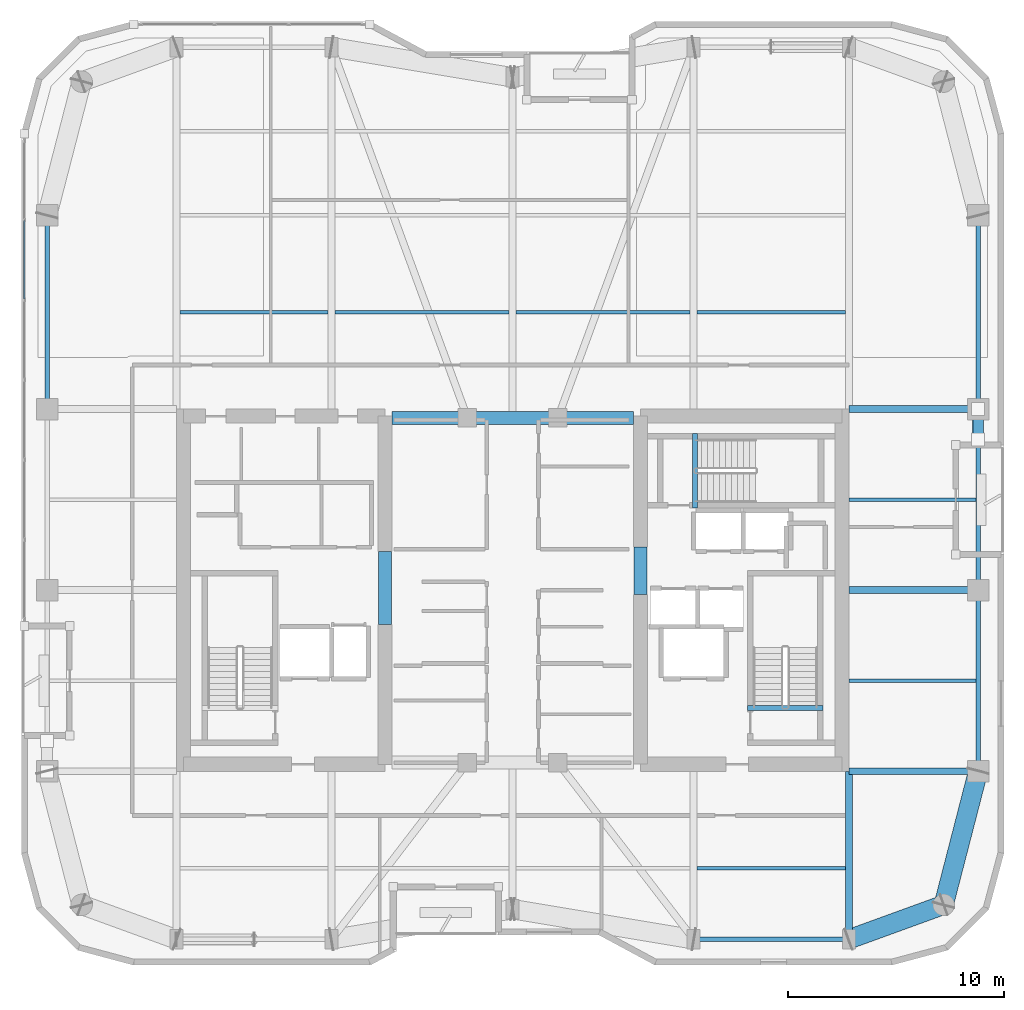
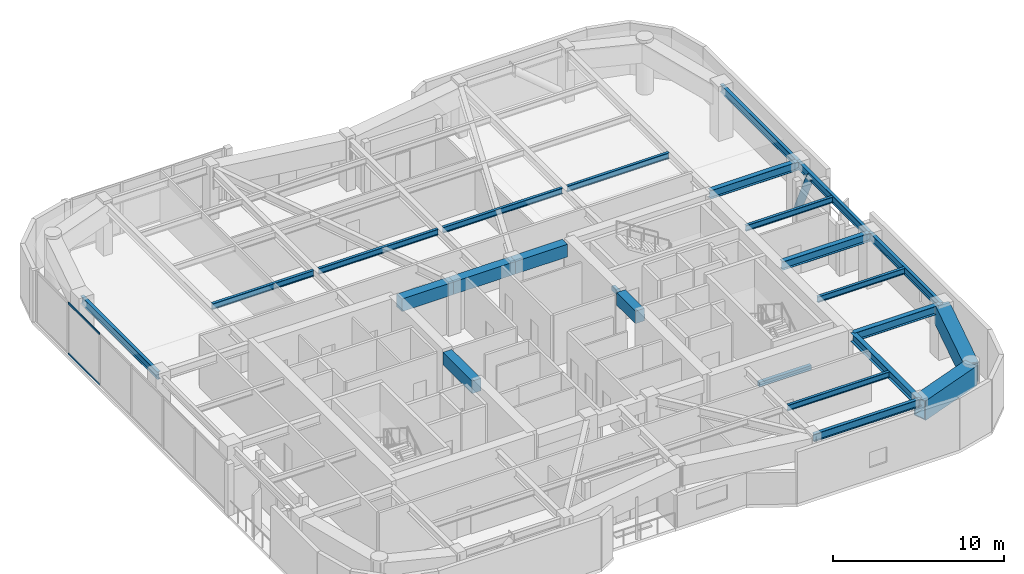
# One storey, part 5 of 21: 25 beams, 3 members, 1 element without a shape of its own.
"""IFC4 building model written with IfcOpenShell, lengths in metres."""

from ifc_helpers import new_model, si_unit, direction, frame, origin, origin_2d, place, context, subcontext, project, spatial, rectangle, hollow_rectangle, hollow_circle, i_section, extrude, material, layer, layer_set, material_profile, profile_set, type_object, element, aggregate, save


model = new_model("IFC4")

# Units and contexts
model_context = context("Model", 3, precision=1e-05, world=origin(), true_north=direction((0.0, 1.0)))
body_context = subcontext(model_context, "Body", "Model", "MODEL_VIEW")
ifc_project = project(units=[si_unit("LENGTHUNIT", "METRE"), si_unit("AREAUNIT", "SQUARE_METRE"), si_unit("VOLUMEUNIT", "CUBIC_METRE"), si_unit("PLANEANGLEUNIT", "RADIAN"), si_unit("MASSUNIT", "GRAM", prefix="KILO")], contexts=[model_context])

# Site, building, storey
site_placement = place(None, origin())
site = spatial("IfcSite", under=ifc_project, at=site_placement, CompositionType="ELEMENT")
building_placement = place(site_placement, origin())
building = spatial("IfcBuilding", under=site, at=building_placement, Name="Kiyonajd Concourse Tower", CompositionType="ELEMENT")
storey_placement = place(building_placement, frame((0.0, 0.0, 234.89990234375)))
storey = spatial("IfcBuildingStorey", under=building, at=storey_placement, Name="L59", CompositionType="ELEMENT", Elevation=234.89990234375)

# Beams
ifc_material_1 = material(Name="Concrete C60/75", Category="concrete")
ifc_material_profile_1 = material_profile(ifc_material_1, rectangle(XDim=0.60009765625, YDim=0.89990234375, at=origin_2d()), Name="RCBM-600x900")
ifc_profile_set_1 = profile_set([ifc_material_profile_1], Name="Concrete C60/75")
beam_type_1 = type_object("IfcBeamType", Name="BM-COUP-900", PredefinedType="LINTEL", material=ifc_profile_set_1)
beam_1_placement = place(storey_placement, frame((42.39990234375, 44.0, 3.22998046875), z_axis=(1.0, 0.0, 0.0), x_axis=(0.0, 1.0, 0.0)))
element("IfcBeam", 1, at=beam_1_placement, inside=storey, type_object=beam_type_1, Name="L59 Core Coupling Beam N1", PredefinedType="LINTEL", context=body_context, shape_type="SweptSolid", body=[
    extrude(rectangle(XDim=0.60009765625, YDim=0.89990234375, at=origin_2d()), origin(), (0.0, 0.0, 1.0), 3.5),
])
beam_2_placement = place(storey_placement, frame((45.89990234375, 44.0, 3.22998046875), z_axis=(1.0, 0.0, 0.0), x_axis=(0.0, 1.0, 0.0)))
element("IfcBeam", 2, at=beam_2_placement, inside=storey, type_object=beam_type_1, Name="L59 Core Coupling Beam N2", PredefinedType="LINTEL", context=body_context, shape_type="SweptSolid", body=[
    extrude(rectangle(XDim=0.60009765625, YDim=0.89990234375, at=origin_2d()), origin(), (0.0, 0.0, 1.0), 4.2001953125),
])
beam_3_placement = place(storey_placement, frame((50.10009765625, 44.0, 3.22998046875), z_axis=(1.0, 0.0, 0.0), x_axis=(0.0, 1.0, 0.0)))
element("IfcBeam", 3, at=beam_3_placement, inside=storey, type_object=beam_type_1, Name="L59 Core Coupling Beam N3", PredefinedType="LINTEL", context=body_context, shape_type="SweptSolid", body=[
    extrude(rectangle(XDim=0.60009765625, YDim=0.89990234375, at=origin_2d()), origin(), (0.0, 0.0, 1.0), 3.5),
])
beam_4_placement = place(storey_placement, frame((42.074951171875, 34.39990234375, 3.22998046875), z_axis=(0.0, 1.0, 0.0), x_axis=(-1.0, 0.0, 0.0)))
element("IfcBeam", 4, at=beam_4_placement, inside=storey, type_object=beam_type_1, Name="L59 West Core Throat Coupling Lintel", PredefinedType="LINTEL", context=body_context, shape_type="SweptSolid", body=[
    extrude(rectangle(XDim=0.60009765625, YDim=0.89990234375, at=origin_2d()), origin(), (0.0, 0.0, 1.0), 3.400146484375),
])
beam_5_placement = place(storey_placement, frame((53.925048828125, 35.800048828125, 3.22998046875), z_axis=(0.0, 1.0, 0.0), x_axis=(-1.0, 0.0, 0.0)))
element("IfcBeam", 5, at=beam_5_placement, inside=storey, type_object=beam_type_1, Name="L59 East Core Throat Coupling Lintel", PredefinedType="LINTEL", context=body_context, shape_type="SweptSolid", body=[
    extrude(rectangle(XDim=0.60009765625, YDim=0.89990234375, at=origin_2d()), origin(), (0.0, 0.0, 1.0), 2.199951171875),
])
ifc_material_2 = material(Name="Steel ASTM A992 Grade 50", Category="steel")
ifc_material_profile_2 = material_profile(ifc_material_2, i_section(OverallWidth=0.180908203125, OverallDepth=0.4169921875, WebThickness=0.010986328125, FlangeThickness=0.018310546875, at=origin_2d()), Name="W410X85")
ifc_profile_set_2 = profile_set([ifc_material_profile_2], Name="Steel ASTM A992 Grade 50")
beam_type_2 = type_object("IfcBeamType", Name="BM-JST-410", PredefinedType="JOIST", material=ifc_profile_set_2)
for number, where, z_axis, x_axis, name in (
    (6, (56.56201171875, 23.10009765625, 3.4716796875), (1.0, 0.0, 0.0), (0.0, 1.0, 0.0), "L59 Secondary Floor Joist"),
    (7, (32.56201171875, 48.89990234375, 3.4716796875), (1.0, 0.0, 0.0), (0.0, 1.0, 0.0), "L59 Secondary Floor Joist"),
):
    element("IfcBeam", number, at=place(storey_placement, frame(where, z_axis=z_axis, x_axis=x_axis)), inside=storey, type_object=beam_type_2, Name=name, PredefinedType="JOIST", context=body_context, shape_type="SweptSolid", body=[
        extrude(i_section(OverallWidth=0.180908203125, OverallDepth=0.4169921875, WebThickness=0.010986328125, FlangeThickness=0.018310546875, at=origin_2d()), origin(), (0.0, 0.0, 1.0), 6.8759765625),
    ])
for number, where, z_axis, x_axis, name in (
    (8, (39.761962890625, 48.89990234375, 3.4716796875), (1.0, 0.0, 0.0), (0.0, 1.0, 0.0), "L59 Secondary Floor Joist"),
    (9, (48.162109375, 48.89990234375, 3.4716796875), (1.0, 0.0, 0.0), (0.0, 1.0, 0.0), "L59 Secondary Floor Joist"),
):
    element("IfcBeam", number, at=place(storey_placement, frame(where, z_axis=z_axis, x_axis=x_axis)), inside=storey, type_object=beam_type_2, Name=name, PredefinedType="JOIST", context=body_context, shape_type="SweptSolid", body=[
        extrude(i_section(OverallWidth=0.180908203125, OverallDepth=0.4169921875, WebThickness=0.010986328125, FlangeThickness=0.018310546875, at=origin_2d()), origin(), (0.0, 0.0, 1.0), 8.075927734375),
    ])
beam_6_placement = place(storey_placement, frame((56.56201171875, 48.89990234375, 3.4716796875), z_axis=(1.0, 0.0, 0.0), x_axis=(0.0, 1.0, 0.0)))
element("IfcBeam", 10, at=beam_6_placement, inside=storey, type_object=beam_type_2, Name="L59 Secondary Floor Joist", PredefinedType="JOIST", context=body_context, shape_type="SweptSolid", body=[
    extrude(i_section(OverallWidth=0.180908203125, OverallDepth=0.4169921875, WebThickness=0.010986328125, FlangeThickness=0.018310546875, at=origin_2d()), origin(), (0.0, 0.0, 1.0), 6.8759765625),
])
for number, where, z_axis, x_axis, name in (
    (11, (63.60009765625, 31.800048828125, 3.4716796875), (1.0, 0.0, 0.0), (0.0, 1.0, 0.0), "L59 East Secondary Floor Joist"),
    (12, (63.60009765625, 40.199951171875, 3.4716796875), (1.0, 0.0, 0.0), (0.0, 1.0, 0.0), "L59 East Secondary Floor Joist"),
):
    element("IfcBeam", number, at=place(storey_placement, frame(where, z_axis=z_axis, x_axis=x_axis)), inside=storey, type_object=beam_type_2, Name=name, PredefinedType="JOIST", context=body_context, shape_type="SweptSolid", body=[
        extrude(i_section(OverallWidth=0.180908203125, OverallDepth=0.4169921875, WebThickness=0.010986328125, FlangeThickness=0.018310546875, at=origin_2d()), origin(), (0.0, 0.0, 1.0), 5.892822265625),
    ])
ifc_material_3 = material(Name="Concrete C50/60", Category="concrete")
ifc_material_profile_3 = material_profile(ifc_material_3, rectangle(XDim=0.239990234375, YDim=0.320068359375, at=origin_2d()), Name="RCBM-240x320")
ifc_profile_set_3 = profile_set([ifc_material_profile_3], Name="Concrete C50/60")
beam_type_3 = type_object("IfcBeamType", Name="BM-LNT-250", PredefinedType="LINTEL", material=ifc_profile_set_3)
beam_7_placement = place(storey_placement, frame((58.889892578125, 30.530029296875, -0.159912109375), z_axis=(1.0, 0.0, 0.0), x_axis=(0.0, 1.0, 0.0)))
element("IfcBeam", 13, at=beam_7_placement, inside=storey, type_object=beam_type_3, Name="L59 Stair ST2 Threshold Support Beam", PredefinedType="LINTEL", context=body_context, shape_type="SweptSolid", body=[
    extrude(rectangle(XDim=0.239990234375, YDim=0.320068359375, at=origin_2d()), origin(), (0.0, 0.0, 1.0), 3.52001953125),
])
beam_8_placement = place(storey_placement, frame((56.4599609375, 39.820068359375, -0.159912109375), z_axis=(0.0, 1.0, 0.0), x_axis=(-1.0, 0.0, 0.0)))
element("IfcBeam", 14, at=beam_8_placement, inside=storey, type_object=beam_type_3, Name="L59 Stair ST3 Threshold Support Beam", PredefinedType="LINTEL", context=body_context, shape_type="SweptSolid", body=[
    extrude(rectangle(XDim=0.239990234375, YDim=0.320068359375, at=origin_2d()), origin(), (0.0, 0.0, 1.0), 3.4599609375),
])
ifc_material_profile_4 = material_profile(ifc_material_2, i_section(OverallWidth=0.214111328125, OverallDepth=0.549072265625, WebThickness=0.0146484375, FlangeThickness=0.023681640625, at=origin_2d()), Name="W530X138")
ifc_profile_set_4 = profile_set([ifc_material_profile_4], Name="Steel ASTM A992 Grade 50")
beam_type_4 = type_object("IfcBeamType", Name="BM-SPAN-530A", PredefinedType="SPANDREL", material=ifc_profile_set_4)
beam_9_placement = place(storey_placement, frame((56.39990234375, 19.800048828125, 3.405517578125), z_axis=(1.0, 0.0, 0.0), x_axis=(0.0, 1.0, 0.0)))
element("IfcBeam", 15, at=beam_9_placement, inside=storey, type_object=beam_type_4, Name="L59 Perimeter Bundled Tube Spandrel", PredefinedType="SPANDREL", context=body_context, shape_type="SweptSolid", body=[
    extrude(i_section(OverallWidth=0.214111328125, OverallDepth=0.549072265625, WebThickness=0.0146484375, FlangeThickness=0.023681640625, at=origin_2d()), origin(), (0.0, 0.0, 1.0), 7.2001953125),
])
for number, where, z_axis, x_axis, name in (
    (16, (69.60009765625, 27.60009765625, 3.405517578125), (0.0, 1.0, 0.0), (-1.0, 0.0, 0.0), "L59 Perimeter Bundled Tube Spandrel"),
    (17, (69.60009765625, 36.0, 3.405517578125), (0.0, 1.0, 0.0), (-1.0, 0.0, 0.0), "L59 Perimeter Bundled Tube Spandrel"),
):
    element("IfcBeam", number, at=place(storey_placement, frame(where, z_axis=z_axis, x_axis=x_axis)), inside=storey, type_object=beam_type_4, Name=name, PredefinedType="SPANDREL", context=body_context, shape_type="SweptSolid", body=[
        extrude(i_section(OverallWidth=0.214111328125, OverallDepth=0.549072265625, WebThickness=0.0146484375, FlangeThickness=0.023681640625, at=origin_2d()), origin(), (0.0, 0.0, 1.0), 8.39990234375),
    ])
for number, where, z_axis, x_axis, name in (
    (18, (69.60009765625, 44.39990234375, 3.405517578125), (0.0, 1.0, 0.0), (-1.0, 0.0, 0.0), "L59 Perimeter Bundled Tube Spandrel"),
    (19, (26.39990234375, 53.39990234375, 3.405517578125), (0.0, -1.0, 0.0), (1.0, 0.0, 0.0), "L59 Perimeter Bundled Tube Spandrel"),
):
    element("IfcBeam", number, at=place(storey_placement, frame(where, z_axis=z_axis, x_axis=x_axis)), inside=storey, type_object=beam_type_4, Name=name, PredefinedType="SPANDREL", context=body_context, shape_type="SweptSolid", body=[
        extrude(i_section(OverallWidth=0.214111328125, OverallDepth=0.549072265625, WebThickness=0.0146484375, FlangeThickness=0.023681640625, at=origin_2d()), origin(), (0.0, 0.0, 1.0), 9.0),
    ])
ifc_material_profile_5 = material_profile(ifc_material_2, i_section(OverallWidth=0.323974609375, OverallDepth=0.611083984375, WebThickness=0.0126953125, FlangeThickness=0.01904296875, at=origin_2d()), Name="W610X155")
ifc_profile_set_5 = profile_set([ifc_material_profile_5], Name="Steel ASTM A992 Grade 50")
beam_type_5 = type_object("IfcBeamType", Name="BM-TWR-610B", PredefinedType="BEAM", material=ifc_profile_set_5)
beam_10_placement = place(storey_placement, frame((63.60009765625, 19.800048828125, 3.37451171875), z_axis=(0.0, 1.0, 0.0), x_axis=(-1.0, 0.0, 0.0)))
element("IfcBeam", 20, at=beam_10_placement, inside=storey, type_object=beam_type_5, Name="L59 South Lease Girder", PredefinedType="BEAM", context=body_context, shape_type="SweptSolid", body=[
    extrude(i_section(OverallWidth=0.323974609375, OverallDepth=0.611083984375, WebThickness=0.0126953125, FlangeThickness=0.01904296875, at=origin_2d()), origin(), (0.0, 0.0, 1.0), 7.800048828125),
])
for number, where, z_axis, x_axis, name in (
    (21, (63.60009765625, 27.60009765625, 3.37451171875), (1.0, 0.0, 0.0), (0.0, 1.0, 0.0), "L59 East Lease Girder"),
    (22, (63.60009765625, 36.0, 3.37451171875), (1.0, 0.0, 0.0), (0.0, 1.0, 0.0), "L59 East Lease Girder"),
    (23, (63.60009765625, 44.39990234375, 3.37451171875), (1.0, 0.0, 0.0), (0.0, 1.0, 0.0), "L59 East Lease Girder"),
):
    element("IfcBeam", number, at=place(storey_placement, frame(where, z_axis=z_axis, x_axis=x_axis)), inside=storey, type_object=beam_type_5, Name=name, PredefinedType="BEAM", context=body_context, shape_type="SweptSolid", body=[
        extrude(i_section(OverallWidth=0.323974609375, OverallDepth=0.611083984375, WebThickness=0.0126953125, FlangeThickness=0.01904296875, at=origin_2d()), origin(), (0.0, 0.0, 1.0), 6.0),
    ])
ifc_material_4 = material(Name="Steel ASTM A572 Grade 50", Category="steel")
ifc_material_profile_6 = material_profile(ifc_material_4, hollow_rectangle(XDim=0.89990234375, YDim=1.39990234375, WallThickness=0.070068359375, at=origin_2d()), Name="BOX-1400x900x70")
ifc_profile_set_6 = profile_set([ifc_material_profile_6], Name="Steel ASTM A572 Grade 50")
beam_type_6 = type_object("IfcBeamType", Name="BM-XFER-1400", PredefinedType="BEAM", material=ifc_profile_set_6)
beam_11_placement = place(storey_placement, frame((63.60009765625, 19.800048828125, 2.97998046875), z_axis=(0.939801036019, 0.341722127901, 0.0), x_axis=(-0.341722127901, 0.939801036019, 0.0)))
element("IfcBeam", 24, at=beam_11_placement, inside=storey, type_object=beam_type_6, Name="L59 Perimeter Bundled Tube Spandrel", PredefinedType="BEAM", context=body_context, shape_type="SweptSolid", body=[
    extrude(hollow_rectangle(XDim=0.89990234375, YDim=1.39990234375, WallThickness=0.070068359375, at=origin_2d()), origin(), (0.0, 0.0, 1.0), 4.681640625),
])
beam_12_placement = place(storey_placement, frame((68.0, 21.39990234375, 2.97998046875), z_axis=(0.249884937687, 0.968275538221, 0.0), x_axis=(-0.968275538221, 0.249884937687, 0.0)))
element("IfcBeam", 25, at=beam_12_placement, inside=storey, type_object=beam_type_6, Name="L59 Perimeter Bundled Tube Spandrel", PredefinedType="BEAM", context=body_context, shape_type="SweptSolid", body=[
    extrude(hollow_rectangle(XDim=0.89990234375, YDim=1.39990234375, WallThickness=0.070068359375, at=origin_2d()), origin(), (0.0, 0.0, 1.0), 6.4033203125),
])

# Curtain wall, members
ifc_material_5 = material(Name="Thermally Broken Anodised Aluminium", Category="aluminium")
ifc_layer = layer(ifc_material_5, 0.179931640625)
ifc_layer_set = layer_set([ifc_layer], Name="Thermally Broken Anodised Aluminium")
curtain_wall_type = type_object("IfcCurtainWallType", Name="CW-SYS-04", PredefinedType="NOTDEFINED", material=ifc_layer_set)
curtain_wall_placement = place(storey_placement, origin())
curtain_wall = element("IfcCurtainWall", 26, at=curtain_wall_placement, inside=storey, type_object=curtain_wall_type, Name="L59 Unitised Curtain Wall CW4", PredefinedType="NOTDEFINED")
ifc_material_profile_7 = material_profile(ifc_material_5, hollow_rectangle(XDim=0.06494140625, YDim=0.139892578125, WallThickness=0.00390625, at=origin_2d()), Name="TRAN-65x140")
ifc_profile_set_7 = profile_set([ifc_material_profile_7], Name="Thermally Broken Anodised Aluminium")
member_type_1 = type_object("IfcMemberType", Name="MB-CW-TRAN1", PredefinedType="USERDEFINED", material=ifc_profile_set_7)
member_1_placement = place(storey_placement, frame((25.340087890625, 49.503662109375, 0.03271484375), z_axis=(0.0, 1.0, 0.0), x_axis=(-1.0, 0.0, 0.0)))
member_1 = element("IfcMember", 27, at=member_1_placement, type_object=member_type_1, Name="CW4 transom 5.1", ObjectType="TRANSOM", PredefinedType="USERDEFINED", context=body_context, shape_type="SweptSolid", body=[
    extrude(hollow_rectangle(XDim=0.06494140625, YDim=0.139892578125, WallThickness=0.00390625, at=origin_2d()), origin(), (0.0, 0.0, 1.0), 3.645263671875),
])
member_2_placement = place(storey_placement, frame((25.340087890625, 49.503662109375, 3.647705078125), z_axis=(0.0, 1.0, 0.0), x_axis=(-1.0, 0.0, 0.0)))
member_2 = element("IfcMember", 28, at=member_2_placement, type_object=member_type_1, Name="CW4 transom 5.2", ObjectType="TRANSOM", PredefinedType="USERDEFINED", context=body_context, shape_type="SweptSolid", body=[
    extrude(hollow_rectangle(XDim=0.06494140625, YDim=0.139892578125, WallThickness=0.00390625, at=origin_2d()), origin(), (0.0, 0.0, 1.0), 3.645263671875),
])
aggregate(curtain_wall, [member_1, member_2])

# Member
ifc_material_6 = material(Name="Steel ASTM A500 Grade C", Category="steel")
ifc_material_profile_8 = material_profile(ifc_material_6, hollow_circle(Radius=0.25390625, WallThickness=0.02197265625, at=origin_2d()), Name="CHS-508x22")
ifc_profile_set_8 = profile_set([ifc_material_profile_8], Name="Steel ASTM A500 Grade C")
member_type_2 = type_object("IfcMemberType", Name="MB-PB-MID", PredefinedType="BRACE", material=ifc_profile_set_8)
member_3_placement = place(storey_placement, frame((69.60009765625, 44.39990234375, 0.300048828125), z_axis=(0.0, -0.419410666774, 0.907796614114), x_axis=(1.0, 0.0, 0.0)))
element("IfcMember", 29, at=member_3_placement, inside=storey, type_object=member_type_2, Name="L59 Upper Zone Hollow Tube Brace PBE", PredefinedType="BRACE", context=body_context, shape_type="SweptSolid", body=[
    extrude(hollow_circle(Radius=0.25390625, WallThickness=0.02197265625, at=origin_2d()), origin(), (0.0, 0.0, 1.0), 3.337890625),
])

save(model, "model.ifc")
